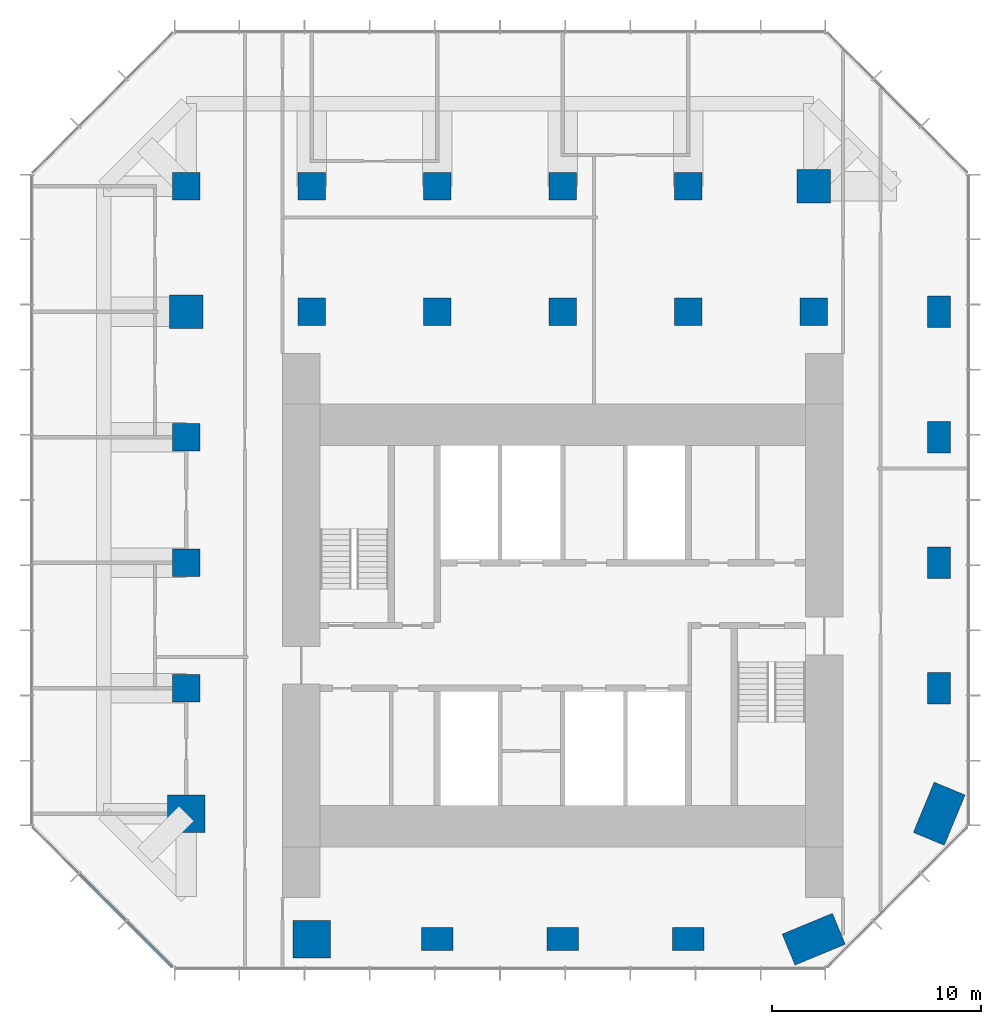
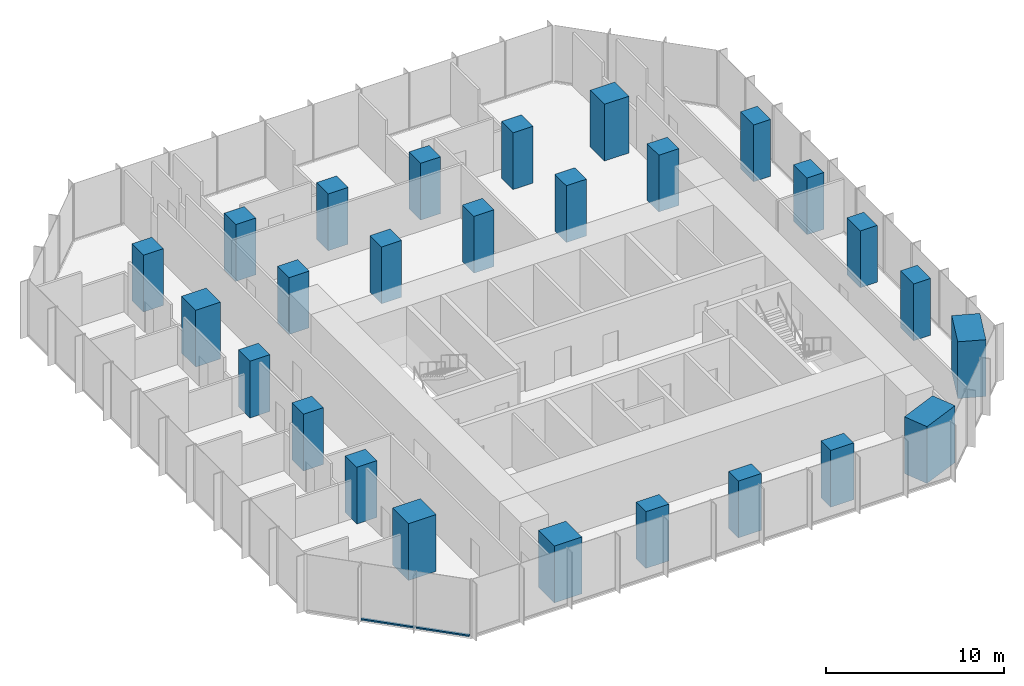
# One storey, part 1 of 11: 26 columns, 2 members, 1 element without a shape of its own.
"""IFC4 building model written with IfcOpenShell, lengths in metres."""

from ifc_helpers import new_model, si_unit, direction, frame, origin, origin_2d, place, context, subcontext, project, spatial, rectangle, extrude, material, layer, layer_set, material_profile, profile_set, type_object, element, aggregate, save


model = new_model("IFC4")

# Units and contexts
model_context = context("Model", 3, precision=1e-05, world=origin(), true_north=direction((0.0, 1.0)))
body_context = subcontext(model_context, "Body", "Model", "MODEL_VIEW")
ifc_project = project(units=[si_unit("LENGTHUNIT", "METRE"), si_unit("AREAUNIT", "SQUARE_METRE"), si_unit("VOLUMEUNIT", "CUBIC_METRE"), si_unit("PLANEANGLEUNIT", "RADIAN"), si_unit("MASSUNIT", "GRAM", prefix="KILO")], contexts=[model_context])

# Site, building, storey
site_placement = place(None, origin())
site = spatial("IfcSite", under=ifc_project, at=site_placement, CompositionType="ELEMENT")
building_placement = place(site_placement, origin())
building = spatial("IfcBuilding", under=site, at=building_placement, Name="Highveld Stack Headquarters", CompositionType="ELEMENT")
storey_placement = place(building_placement, frame((0.0, 0.0, 196.699951171875)))
storey = spatial("IfcBuildingStorey", under=building, at=storey_placement, Name="L48", CompositionType="ELEMENT", Elevation=196.699951171875)

# Columns
ifc_material_1 = material(Name="Concrete C60/75", Category="concrete")
ifc_material_profile_1 = material_profile(ifc_material_1, rectangle(XDim=1.300048828125, YDim=1.300048828125, at=origin_2d()), Name="RC 1300x1300")
ifc_profile_set_1 = profile_set([ifc_material_profile_1], Name="Concrete C60/75")
column_type_1 = type_object("IfcColumnType", Name="COLUMN RC 1300x1300 C60/75", PredefinedType="COLUMN", material=ifc_profile_set_1)
for number, where, z_axis, x_axis, name in (
    (1, (-12.0, 0.0, 0.0), (0.0, 0.0, 1.0), (1.0, 0.0, 0.0), "Column 4/E L48"),
    (2, (-12.0, 6.0, 0.0), (0.0, 0.0, 1.0), (1.0, 0.0, 0.0), "Column 4/F L48"),
    (3, (-12.0, 12.0, 0.0), (0.0, 0.0, 1.0), (1.0, 0.0, 0.0), "Column 4/G L48"),
    (4, (-12.0, 24.0, 0.0), (0.0, 0.0, 1.0), (1.0, 0.0, 0.0), "Column 4/J L48"),
    (5, (-6.0, 18.0, 0.0), (0.0, 0.0, 1.0), (1.0, 0.0, 0.0), "Column 5/H L48"),
    (6, (-6.0, 24.0, 0.0), (0.0, 0.0, 1.0), (1.0, 0.0, 0.0), "Column 5/J L48"),
    (7, (0.0, 18.0, 0.0), (0.0, 0.0, 1.0), (1.0, 0.0, 0.0), "Column 6/H L48"),
    (8, (0.0, 24.0, 0.0), (0.0, 0.0, 1.0), (1.0, 0.0, 0.0), "Column 6/J L48"),
    (9, (6.0, 18.0, 0.0), (0.0, 0.0, 1.0), (1.0, 0.0, 0.0), "Column 7/H L48"),
    (10, (6.0, 24.0, 0.0), (0.0, 0.0, 1.0), (1.0, 0.0, 0.0), "Column 7/J L48"),
    (11, (12.0, 18.0, 0.0), (0.0, 0.0, 1.0), (1.0, 0.0, 0.0), "Column 8/H L48"),
    (12, (12.0, 24.0, 0.0), (0.0, 0.0, 1.0), (1.0, 0.0, 0.0), "Column 8/J L48"),
    (13, (18.0, 18.0, 0.0), (0.0, 0.0, 1.0), (1.0, 0.0, 0.0), "Column 9/H L48"),
):
    element("IfcColumn", number, at=place(storey_placement, frame(where, z_axis=z_axis, x_axis=x_axis)), inside=storey, type_object=column_type_1, Name=name, PredefinedType="COLUMN", context=body_context, shape_type="SweptSolid", body=[
        extrude(rectangle(XDim=1.300048828125, YDim=1.300048828125, at=origin_2d()), origin(), (0.0, 0.0, 1.0), 3.900146484375),
    ])
ifc_material_2 = material(Name="Concrete C60/75", Category="concrete")
ifc_material_profile_2 = material_profile(ifc_material_2, rectangle(XDim=1.5, YDim=1.10009765625, at=origin_2d()), Name="RC 1500x1100")
ifc_profile_set_2 = profile_set([ifc_material_profile_2], Name="Concrete C60/75")
column_type_2 = type_object("IfcColumnType", Name="COLUMN RC 1500x1100 C60/75", PredefinedType="COLUMN", material=ifc_profile_set_2)
for number, where, z_axis, x_axis, name in (
    (14, (0.0, -12.0, 0.0), (0.0, 0.0, 1.0), (1.0, 0.0, 0.0), "Column 6/C L48"),
    (15, (6.0, -12.0, 0.0), (0.0, 0.0, 1.0), (1.0, 0.0, 0.0), "Column 7/C L48"),
    (16, (12.0, -12.0, 0.0), (0.0, 0.0, 1.0), (1.0, 0.0, 0.0), "Column 8/C L48"),
    (17, (24.0, 0.0, 0.0), (0.0, 0.0, 1.0), (0.0, 1.0, 0.0), "Column 10/E L48"),
    (18, (24.0, 6.0, 0.0), (0.0, 0.0, 1.0), (0.0, 1.0, 0.0), "Column 10/F L48"),
    (19, (24.0, 12.0, 0.0), (0.0, 0.0, 1.0), (0.0, 1.0, 0.0), "Column 10/G L48"),
    (20, (24.0, 18.0, 0.0), (0.0, 0.0, 1.0), (0.0, 1.0, 0.0), "Column 10/H L48"),
):
    element("IfcColumn", number, at=place(storey_placement, frame(where, z_axis=z_axis, x_axis=x_axis)), inside=storey, type_object=column_type_2, Name=name, PredefinedType="COLUMN", context=body_context, shape_type="SweptSolid", body=[
        extrude(rectangle(XDim=1.5, YDim=1.10009765625, at=origin_2d()), origin(), (0.0, 0.0, 1.0), 3.900146484375),
    ])
ifc_material_3 = material(Name="Concrete C60/75", Category="concrete")
ifc_material_profile_3 = material_profile(ifc_material_3, rectangle(XDim=1.60009765625, YDim=1.60009765625, at=origin_2d()), Name="RC 1600x1600")
ifc_profile_set_3 = profile_set([ifc_material_profile_3], Name="Concrete C60/75")
column_type_3 = type_object("IfcColumnType", Name="COLUMN RC 1600x1600 C60/75", PredefinedType="COLUMN", material=ifc_profile_set_3)
for number, where, z_axis, x_axis, name in (
    (21, (-12.0, 18.0, 0.0), (0.0, 0.0, 1.0), (1.0, 0.0, 0.0), "Column 4/H L48"),
    (22, (18.0, 24.0, 0.0), (0.0, 0.0, 1.0), (1.0, 0.0, 0.0), "Column 9/J L48"),
):
    element("IfcColumn", number, at=place(storey_placement, frame(where, z_axis=z_axis, x_axis=x_axis)), inside=storey, type_object=column_type_3, Name=name, PredefinedType="COLUMN", context=body_context, shape_type="SweptSolid", body=[
        extrude(rectangle(XDim=1.60009765625, YDim=1.60009765625, at=origin_2d()), origin(), (0.0, 0.0, 1.0), 3.900146484375),
    ])
ifc_material_4 = material(Name="Concrete C60/75", Category="concrete")
ifc_material_profile_4 = material_profile(ifc_material_4, rectangle(XDim=1.800048828125, YDim=1.800048828125, at=origin_2d()), Name="RC 1800x1800")
ifc_profile_set_4 = profile_set([ifc_material_profile_4], Name="Concrete C60/75")
column_type_4 = type_object("IfcColumnType", Name="COLUMN RC 1800x1800 C60/75", PredefinedType="COLUMN", material=ifc_profile_set_4)
for number, where, z_axis, x_axis, name in (
    (23, (-12.0, -6.0, 0.0), (0.0, 0.0, 1.0), (1.0, 0.0, 0.0), "Column 4/D L48"),
    (24, (-6.0, -12.0, 0.0), (0.0, 0.0, 1.0), (1.0, 0.0, 0.0), "Column 5/C L48"),
):
    element("IfcColumn", number, at=place(storey_placement, frame(where, z_axis=z_axis, x_axis=x_axis)), inside=storey, type_object=column_type_4, Name=name, PredefinedType="COLUMN", context=body_context, shape_type="SweptSolid", body=[
        extrude(rectangle(XDim=1.800048828125, YDim=1.800048828125, at=origin_2d()), origin(), (0.0, 0.0, 1.0), 3.900146484375),
    ])
ifc_material_5 = material(Name="Concrete C60/75", Category="concrete")
ifc_material_profile_5 = material_profile(ifc_material_5, rectangle(XDim=2.60009765625, YDim=1.60009765625, at=origin_2d()), Name="RC 2600x1600")
ifc_profile_set_5 = profile_set([ifc_material_profile_5], Name="Concrete C60/75")
column_type_5 = type_object("IfcColumnType", Name="COLUMN RC 2600x1600 C60/75", PredefinedType="COLUMN", material=ifc_profile_set_5)
for number, where, z_axis, x_axis, name in (
    (25, (18.0, -12.0, 0.0), (0.0, 0.0, 1.0), (-0.923879532511, -0.382683432365, 0.0), "Column 9/C L48"),
    (26, (24.0, -6.0, 0.0), (0.0, 0.0, 1.0), (-0.382683432365, -0.923879532511, 0.0), "Column 10/D L48"),
):
    element("IfcColumn", number, at=place(storey_placement, frame(where, z_axis=z_axis, x_axis=x_axis)), inside=storey, type_object=column_type_5, Name=name, PredefinedType="COLUMN", context=body_context, shape_type="SweptSolid", body=[
        extrude(rectangle(XDim=2.60009765625, YDim=1.60009765625, at=origin_2d()), origin(), (0.0, 0.0, 1.0), 3.900146484375),
    ])

# Curtain wall, members
ifc_material_6 = material(Name="Aluminium bronze anodised", Category="aluminium")
ifc_layer = layer(ifc_material_6, 0.199951171875)
ifc_layer_set = layer_set([ifc_layer], Name="Aluminium bronze anodised")
curtain_wall_type = type_object("IfcCurtainWallType", Name="CW2 TOWER CHAMFER UNITISED CURTAIN WALL", PredefinedType="NOTDEFINED", material=ifc_layer_set)
curtain_wall_placement = place(storey_placement, origin())
curtain_wall = element("IfcCurtainWall", 27, at=curtain_wall_placement, inside=storey, type_object=curtain_wall_type, Name="Curtain wall CW2 L48 SW", PredefinedType="NOTDEFINED")
ifc_material_7 = material(Name="Aluminium bronze anodised", Category="aluminium")
ifc_material_profile_6 = material_profile(ifc_material_7, rectangle(XDim=0.14990234375, YDim=0.10009765625, at=origin_2d()), Name="CW2 TRANSOM 150x100")
ifc_profile_set_6 = profile_set([ifc_material_profile_6], Name="Aluminium bronze anodised")
member_type = type_object("IfcMemberType", Name="CW2 STACK TRANSOM 150x100", PredefinedType="USERDEFINED", material=ifc_profile_set_6)
member_1_placement = place(storey_placement, frame((-17.103759765625, -8.876220703125, 0.050048828125), z_axis=(0.707106781187, -0.707106781187, 0.0), x_axis=(0.707106781187, 0.707106781187, 0.0)))
member_1 = element("IfcMember", 28, at=member_1_placement, type_object=member_type, Name="CW2 transom L48 2.1", ObjectType="TRANSOM", PredefinedType="USERDEFINED", context=body_context, shape_type="SweptSolid", body=[
    extrude(rectangle(XDim=0.14990234375, YDim=0.10009765625, at=origin_2d()), origin(), (0.0, 0.0, 1.0), 3.150146484375),
])
member_2_placement = place(storey_placement, frame((-14.830322265625, -11.149658203125, 0.050048828125), z_axis=(0.707106781187, -0.707106781187, 0.0), x_axis=(0.707106781187, 0.707106781187, 0.0)))
member_2 = element("IfcMember", 29, at=member_2_placement, type_object=member_type, Name="CW2 transom L48 3.1", ObjectType="TRANSOM", PredefinedType="USERDEFINED", context=body_context, shape_type="SweptSolid", body=[
    extrude(rectangle(XDim=0.14990234375, YDim=0.10009765625, at=origin_2d()), origin(), (0.0, 0.0, 1.0), 3.08251953125),
])
aggregate(curtain_wall, [member_1, member_2])

save(model, "model.ifc")
